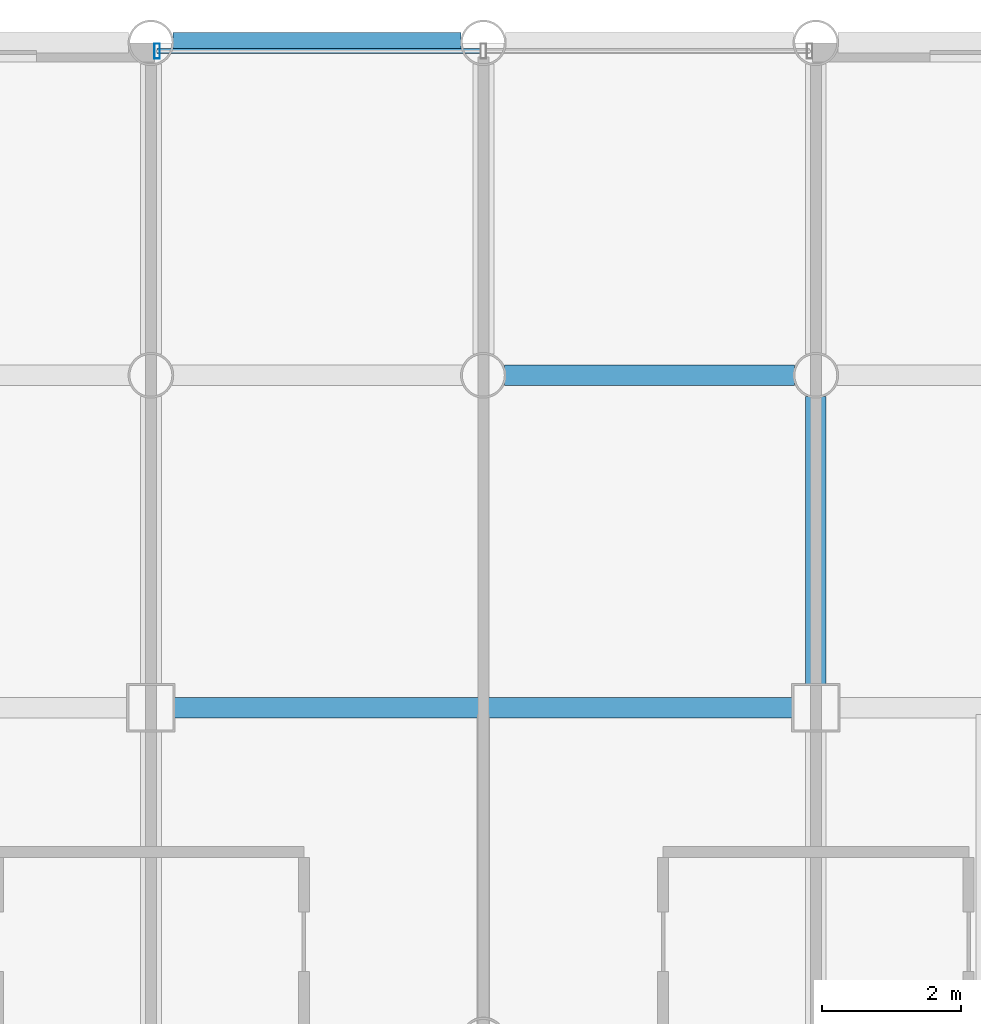
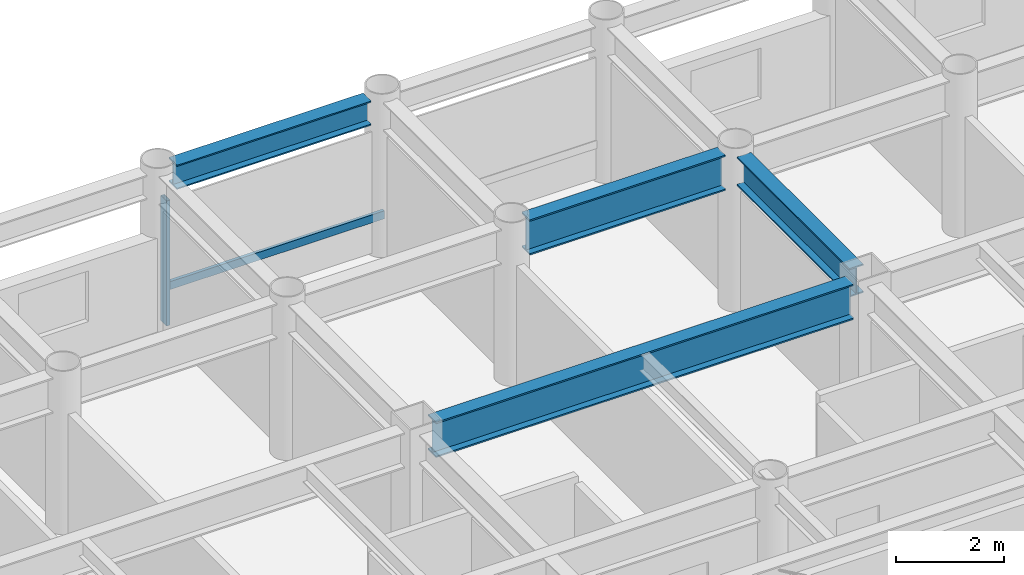
# One storey, part 12 of 20: 4 beams, 2 members, 1 element without a shape of its own.
"""IFC4 building model written with IfcOpenShell, lengths in metres."""

from ifc_helpers import new_model, si_unit, direction, frame, origin, origin_2d, place, context, subcontext, project, spatial, hollow_rectangle, i_section, extrude, material, layer, layer_set, material_profile, profile_set, type_object, element, aggregate, save


model = new_model("IFC4")

# Units and contexts
model_context = context("Model", 3, precision=1e-05, world=origin(), true_north=direction((0.0, 1.0)))
body_context = subcontext(model_context, "Body", "Model", "MODEL_VIEW")
ifc_project = project(units=[si_unit("LENGTHUNIT", "METRE"), si_unit("AREAUNIT", "SQUARE_METRE"), si_unit("VOLUMEUNIT", "CUBIC_METRE"), si_unit("PLANEANGLEUNIT", "RADIAN"), si_unit("MASSUNIT", "GRAM", prefix="KILO")], contexts=[model_context])

# Site, building, storey
site_placement = place(None, origin())
site = spatial("IfcSite", under=ifc_project, at=site_placement, CompositionType="ELEMENT")
building_placement = place(site_placement, origin())
building = spatial("IfcBuilding", under=site, at=building_placement, Name="Kallvorn Hotel Tower", CompositionType="ELEMENT")
storey_placement = place(building_placement, frame((0.0, 0.0, 128.5)))
storey = spatial("IfcBuildingStorey", under=building, at=storey_placement, Name="L31", CompositionType="ELEMENT", Elevation=128.5)

# Beams
ifc_material_1 = material(Name="Structural steel S355JR", Category="steel")
ifc_material_profile_1 = material_profile(ifc_material_1, i_section(OverallWidth=0.300048828125, OverallDepth=0.550048828125, WebThickness=0.014892578125, FlangeThickness=0.029052734375, at=origin_2d()), Name="HE 550 B")
ifc_profile_set_1 = profile_set([ifc_material_profile_1], Name="Structural steel S355JR")
beam_type_1 = type_object("IfcBeamType", Name="BM_HE550B", PredefinedType="SPANDREL", material=ifc_profile_set_1)
beam_1_placement = place(storey_placement, frame((-4.47998046875, 24.0, 3.2451171875), z_axis=(1.0, 0.0, 0.0), x_axis=(0.0, 1.0, 0.0)))
element("IfcBeam", 1, at=beam_1_placement, inside=storey, type_object=beam_type_1, Name="L32 Perimeter Spandrel 168", PredefinedType="SPANDREL", context=body_context, shape_type="SweptSolid", body=[
    extrude(i_section(OverallWidth=0.300048828125, OverallDepth=0.550048828125, WebThickness=0.014892578125, FlangeThickness=0.029052734375, at=origin_2d()), origin(), (0.0, 0.0, 1.0), 4.159912109375),
])
ifc_material_2 = material(Name="Structural steel S355JR", Category="steel")
ifc_material_profile_2 = material_profile(ifc_material_2, i_section(OverallWidth=0.300048828125, OverallDepth=0.64990234375, WebThickness=0.01611328125, FlangeThickness=0.031005859375, at=origin_2d()), Name="HE 650 B")
ifc_profile_set_2 = profile_set([ifc_material_profile_2], Name="Structural steel S355JR")
beam_type_2 = type_object("IfcBeamType", Name="BM_HE650B", PredefinedType="BEAM", material=ifc_profile_set_2)
beam_2_placement = place(storey_placement, frame((4.800048828125, 14.72509765625, 3.195068359375), z_axis=(0.0, 1.0, 0.0), x_axis=(-1.0, 0.0, 0.0)))
element("IfcBeam", 2, at=beam_2_placement, inside=storey, type_object=beam_type_2, Name="L32 Primary Y-Girder 117", PredefinedType="BEAM", context=body_context, shape_type="SweptSolid", body=[
    extrude(i_section(OverallWidth=0.300048828125, OverallDepth=0.64990234375, WebThickness=0.01611328125, FlangeThickness=0.031005859375, at=origin_2d()), origin(), (0.0, 0.0, 1.0), 4.169921875),
])
ifc_material_3 = material(Name="Structural steel S355JR", Category="steel")
ifc_material_profile_3 = material_profile(ifc_material_3, i_section(OverallWidth=0.300048828125, OverallDepth=0.800048828125, WebThickness=0.017578125, FlangeThickness=0.032958984375, at=origin_2d()), Name="HE 800 B")
ifc_profile_set_3 = profile_set([ifc_material_profile_3], Name="Structural steel S355JR")
beam_type_3 = type_object("IfcBeamType", Name="BM_HE800B", PredefinedType="BEAM", material=ifc_profile_set_3)
beam_3_placement = place(storey_placement, frame((-4.47509765625, 14.39990234375, 3.1201171875), z_axis=(1.0, 0.0, 0.0), x_axis=(0.0, 1.0, 0.0)))
element("IfcBeam", 3, at=beam_3_placement, inside=storey, type_object=beam_type_3, Name="L32 Primary X-Girder 55", PredefinedType="BEAM", context=body_context, shape_type="SweptSolid", body=[
    extrude(i_section(OverallWidth=0.300048828125, OverallDepth=0.800048828125, WebThickness=0.017578125, FlangeThickness=0.032958984375, at=origin_2d()), origin(), (0.0, 0.0, 1.0), 8.9501953125),
])
beam_4_placement = place(storey_placement, frame((0.304931640625, 19.199951171875, 3.1201171875), z_axis=(1.0, 0.0, 0.0), x_axis=(0.0, 1.0, 0.0)))
element("IfcBeam", 4, at=beam_4_placement, inside=storey, type_object=beam_type_3, Name="L32 Primary X-Girder 67", PredefinedType="BEAM", context=body_context, shape_type="SweptSolid", body=[
    extrude(i_section(OverallWidth=0.300048828125, OverallDepth=0.800048828125, WebThickness=0.017578125, FlangeThickness=0.032958984375, at=origin_2d()), origin(), (0.0, 0.0, 1.0), 4.190185546875),
])

# Curtain wall, members
ifc_material_4 = material(Name="Thermally broken black-anodised aluminium AA 6063-T6", Category="aluminium")
ifc_layer = layer(ifc_material_4, 0.2099609375)
ifc_layer_set = layer_set([ifc_layer], Name="CW_SYS_4_HOTEL_MID")
curtain_wall_type = type_object("IfcCurtainWallType", Name="CW_SYS_4_HOTEL_MID", PredefinedType="USERDEFINED", material=ifc_layer_set)
curtain_wall_placement = place(storey_placement, origin())
curtain_wall = element("IfcCurtainWall", 5, at=curtain_wall_placement, inside=storey, type_object=curtain_wall_type, Name="L31 Dark-Glass Curtain Wall CW-L31-NC", ObjectType="UNITISED CURTAIN WALL", PredefinedType="USERDEFINED")
ifc_material_5 = material(Name="Thermally broken black-anodised aluminium AA 6063-T6", Category="aluminium")
ifc_material_profile_4 = material_profile(ifc_material_5, hollow_rectangle(XDim=0.080078125, YDim=0.219970703125, WallThickness=0.0048828125, at=origin_2d()), Name="MUL 220x80")
ifc_profile_set_4 = profile_set([ifc_material_profile_4], Name="Thermally broken black-anodised aluminium AA 6063-T6")
member_type_1 = type_object("IfcMemberType", Name="CW_MULLION_220x80", PredefinedType="MULLION", material=ifc_profile_set_4)
member_1_placement = place(storey_placement, frame((-4.7099609375, 23.8798828125, 0.02001953125), z_axis=(0.0, 0.0, 1.0), x_axis=(1.0, 0.0, 0.0)))
member_1 = element("IfcMember", 6, at=member_1_placement, type_object=member_type_1, Name="CW-L31-NC Mullion 00", PredefinedType="MULLION", context=body_context, shape_type="SweptSolid", body=[
    extrude(hollow_rectangle(XDim=0.080078125, YDim=0.219970703125, WallThickness=0.0048828125, at=origin_2d()), origin(), (0.0, 0.0, 1.0), 2.830078125),
])
ifc_material_6 = material(Name="Thermally broken black-anodised aluminium AA 6063-T6", Category="aluminium")
ifc_material_profile_5 = material_profile(ifc_material_6, hollow_rectangle(XDim=0.070068359375, YDim=0.179931640625, WallThickness=0.00390625, at=origin_2d()), Name="TRN 180x70")
ifc_profile_set_5 = profile_set([ifc_material_profile_5], Name="Thermally broken black-anodised aluminium AA 6063-T6")
member_type_2 = type_object("IfcMemberType", Name="CW_TRANSOM_180x70", PredefinedType="USERDEFINED", material=ifc_profile_set_5)
member_2_placement = place(storey_placement, frame((-4.7099609375, 23.8798828125, 0.85009765625), z_axis=(1.0, 0.0, 0.0), x_axis=(0.0, 1.0, 0.0)))
member_2 = element("IfcMember", 7, at=member_2_placement, type_object=member_type_2, Name="CW-L31-NC Transom 00M", ObjectType="TRANSOM", PredefinedType="USERDEFINED", context=body_context, shape_type="SweptSolid", body=[
    extrude(hollow_rectangle(XDim=0.070068359375, YDim=0.179931640625, WallThickness=0.00390625, at=origin_2d()), origin(), (0.0, 0.0, 1.0), 4.669921875),
])
aggregate(curtain_wall, [member_1, member_2])

save(model, "model.ifc")
